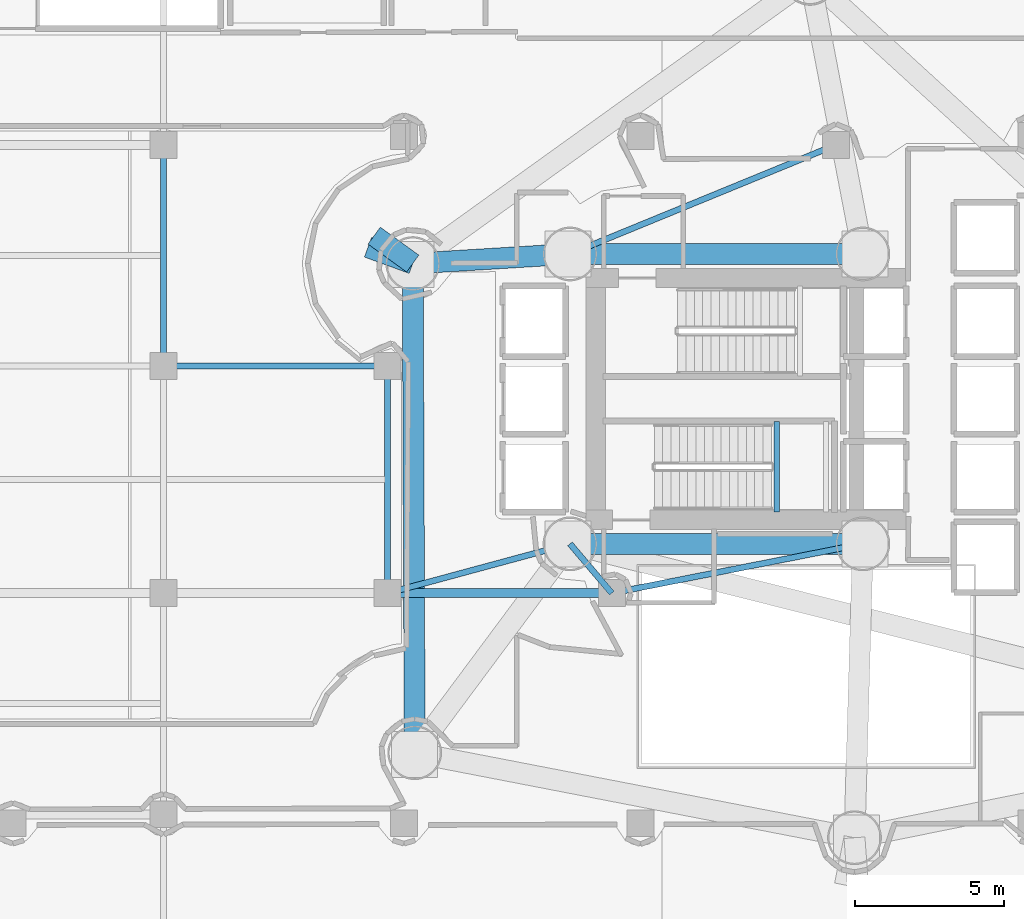
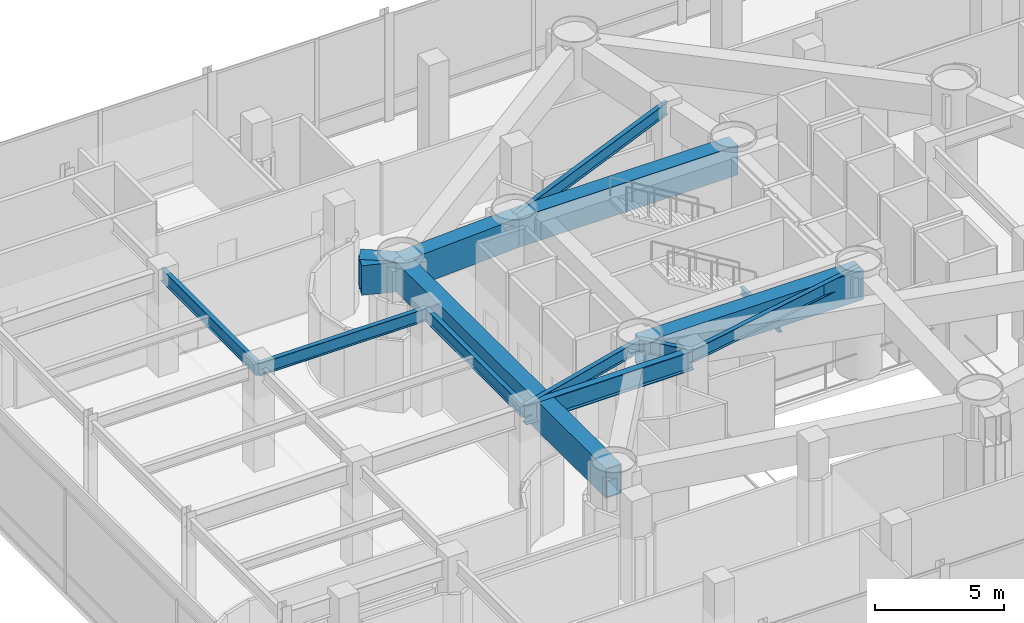
# One storey, part 12 of 40: 15 beams.
"""IFC4 building model written with IfcOpenShell, lengths in metres."""

from ifc_helpers import new_model, si_unit, direction, frame, origin, origin_2d, place, context, subcontext, project, spatial, hollow_rectangle, i_section, extrude, material, material_profile, profile_set, type_object, element, save


model = new_model("IFC4")

# Units and contexts
model_context = context("Model", 3, precision=1e-05, world=origin(), true_north=direction((0.0, 1.0)))
body_context = subcontext(model_context, "Body", "Model", "MODEL_VIEW")
ifc_project = project(units=[si_unit("LENGTHUNIT", "METRE"), si_unit("AREAUNIT", "SQUARE_METRE"), si_unit("VOLUMEUNIT", "CUBIC_METRE"), si_unit("PLANEANGLEUNIT", "RADIAN"), si_unit("MASSUNIT", "GRAM", prefix="KILO")], contexts=[model_context])

# Site, building, storey
site_placement = place(None, origin())
site = spatial("IfcSite", under=ifc_project, at=site_placement, CompositionType="ELEMENT")
building_placement = place(site_placement, origin())
building = spatial("IfcBuilding", under=site, at=building_placement, Name="Qianvela Tower", CompositionType="ELEMENT")
storey_placement = place(building_placement, frame((0.0, 0.0, 20.60009765625)))
storey = spatial("IfcBuildingStorey", under=building, at=storey_placement, Name="L04", CompositionType="ELEMENT", Elevation=20.60009765625)

# Beams
ifc_material_1 = material(Name="Steel Q355B", Category="steel")
ifc_material_profile_1 = material_profile(ifc_material_1, i_section(OverallWidth=0.175048828125, OverallDepth=0.35009765625, WebThickness=0.007080078125, FlangeThickness=0.010986328125, at=origin_2d()), Name="HN350x175x7x11")
ifc_profile_set_1 = profile_set([ifc_material_profile_1], Name="Steel Q355B")
beam_type_1 = type_object("IfcBeamType", Name="BM-HN350-JOIST", PredefinedType="JOIST", material=ifc_profile_set_1)
beam_1_placement = place(storey_placement, frame((35.52001953125, 24.919921875, 2.1748046875), z_axis=(0.0, 1.0, 0.0), x_axis=(-1.0, 0.0, 0.0)))
element("IfcBeam", 1, at=beam_1_placement, inside=storey, type_object=beam_type_1, Name="L04 Stair ST-2 Landing Support Beam 1.1", PredefinedType="JOIST", context=body_context, shape_type="SweptSolid", body=[
    extrude(i_section(OverallWidth=0.175048828125, OverallDepth=0.35009765625, WebThickness=0.007080078125, FlangeThickness=0.010986328125, at=origin_2d()), origin(), (0.0, 0.0, 1.0), 3.02001953125),
])
ifc_material_2 = material(Name="Steel Q355B", Category="steel")
ifc_material_profile_2 = material_profile(ifc_material_2, i_section(OverallWidth=0.199951171875, OverallDepth=0.60009765625, WebThickness=0.010986328125, FlangeThickness=0.01708984375, at=origin_2d()), Name="HN600x200x11x17")
ifc_profile_set_2 = profile_set([ifc_material_profile_2], Name="Steel Q355B")
beam_type_2 = type_object("IfcBeamType", Name="BM-HN600-GIRD", PredefinedType="BEAM", material=ifc_profile_set_2)
beam_2_placement = place(storey_placement, frame((15.0, 29.800048828125, 4.497802734375), z_axis=(1.0, 0.0, 0.0), x_axis=(0.0, 1.0, 0.0)))
element("IfcBeam", 2, at=beam_2_placement, inside=storey, type_object=beam_type_2, Name="L04 East-West Grid Girder 11", PredefinedType="BEAM", context=body_context, shape_type="SweptSolid", body=[
    extrude(i_section(OverallWidth=0.199951171875, OverallDepth=0.60009765625, WebThickness=0.010986328125, FlangeThickness=0.01708984375, at=origin_2d()), origin(), (0.0, 0.0, 1.0), 7.5),
])
beam_3_placement = place(storey_placement, frame((15.0, 29.800048828125, 4.497802734375), z_axis=(0.0, 1.0, 0.0), x_axis=(-1.0, 0.0, 0.0)))
element("IfcBeam", 3, at=beam_3_placement, inside=storey, type_object=beam_type_2, Name="L04 North-South Grid Girder 23", PredefinedType="BEAM", context=body_context, shape_type="SweptSolid", body=[
    extrude(i_section(OverallWidth=0.199951171875, OverallDepth=0.60009765625, WebThickness=0.010986328125, FlangeThickness=0.01708984375, at=origin_2d()), origin(), (0.0, 0.0, 1.0), 7.39990234375),
])
beam_4_placement = place(storey_placement, frame((22.5, 22.199951171875, 4.497802734375), z_axis=(0.0, 1.0, 0.0), x_axis=(-1.0, 0.0, 0.0)))
element("IfcBeam", 4, at=beam_4_placement, inside=storey, type_object=beam_type_2, Name="L04 North-South Grid Girder 25", PredefinedType="BEAM", context=body_context, shape_type="SweptSolid", body=[
    extrude(i_section(OverallWidth=0.199951171875, OverallDepth=0.60009765625, WebThickness=0.010986328125, FlangeThickness=0.01708984375, at=origin_2d()), origin(), (0.0, 0.0, 1.0), 7.60009765625),
])
beam_5_placement = place(storey_placement, frame((28.60009765625, 33.550048828125, 4.497802734375), z_axis=(0.925217514763, 0.379437149441, 0.0), x_axis=(-0.379437149441, 0.925217514763, 0.0)))
element("IfcBeam", 5, at=beam_5_placement, inside=storey, type_object=beam_type_2, Name="L04 Core Tie Girder 37", PredefinedType="BEAM", context=body_context, shape_type="SweptSolid", body=[
    extrude(i_section(OverallWidth=0.199951171875, OverallDepth=0.60009765625, WebThickness=0.010986328125, FlangeThickness=0.01708984375, at=origin_2d()), origin(), (0.0, 0.0, 1.0), 9.619140625),
])
beam_6_placement = place(storey_placement, frame((28.60009765625, 23.85009765625, 4.497802734375), z_axis=(0.646917812917, -0.762559730992, 0.0), x_axis=(0.762559730992, 0.646917812917, 0.0)))
element("IfcBeam", 6, at=beam_6_placement, inside=storey, type_object=beam_type_2, Name="L04 Core Tie Girder 38", PredefinedType="BEAM", context=body_context, shape_type="SweptSolid", body=[
    extrude(i_section(OverallWidth=0.199951171875, OverallDepth=0.60009765625, WebThickness=0.010986328125, FlangeThickness=0.01708984375, at=origin_2d()), origin(), (0.0, 0.0, 1.0), 2.1640625),
])
beam_7_placement = place(storey_placement, frame((28.60009765625, 23.85009765625, 4.497802734375), z_axis=(-0.96530472097, -0.26112601493, 0.0), x_axis=(0.26112601493, -0.96530472097, 0.0)))
element("IfcBeam", 7, at=beam_7_placement, inside=storey, type_object=beam_type_2, Name="L04 Core Tie Girder 39", PredefinedType="BEAM", context=body_context, shape_type="SweptSolid", body=[
    extrude(i_section(OverallWidth=0.199951171875, OverallDepth=0.60009765625, WebThickness=0.010986328125, FlangeThickness=0.01708984375, at=origin_2d()), origin(), (0.0, 0.0, 1.0), 6.3193359375),
])
beam_8_placement = place(storey_placement, frame((38.39990234375, 23.85009765625, 4.497802734375), z_axis=(-0.981245160169, -0.192763937615, 0.0), x_axis=(0.192763937615, -0.981245160169, 0.0)))
element("IfcBeam", 8, at=beam_8_placement, inside=storey, type_object=beam_type_2, Name="L04 Core Tie Girder 43", PredefinedType="BEAM", context=body_context, shape_type="SweptSolid", body=[
    extrude(i_section(OverallWidth=0.199951171875, OverallDepth=0.60009765625, WebThickness=0.010986328125, FlangeThickness=0.01708984375, at=origin_2d()), origin(), (0.0, 0.0, 1.0), 8.560546875),
])
ifc_material_3 = material(Name="Steel Q355B", Category="steel")
ifc_material_profile_3 = material_profile(ifc_material_3, i_section(OverallWidth=0.300048828125, OverallDepth=0.89990234375, WebThickness=0.01611328125, FlangeThickness=0.028076171875, at=origin_2d()), Name="HN900x300x16x28")
ifc_profile_set_3 = profile_set([ifc_material_profile_3], Name="Steel Q355B")
beam_type_3 = type_object("IfcBeamType", Name="BM-HN900-SPAND", PredefinedType="SPANDREL", material=ifc_profile_set_3)
beam_9_placement = place(storey_placement, frame((22.5, 22.199951171875, 4.347900390625), z_axis=(1.0, 0.0, 0.0), x_axis=(0.0, 1.0, 0.0)))
element("IfcBeam", 9, at=beam_9_placement, inside=storey, type_object=beam_type_3, Name="L04 East-West Grid Girder 5", PredefinedType="SPANDREL", context=body_context, shape_type="SweptSolid", body=[
    extrude(i_section(OverallWidth=0.300048828125, OverallDepth=0.89990234375, WebThickness=0.01611328125, FlangeThickness=0.028076171875, at=origin_2d()), origin(), (0.0, 0.0, 1.0), 7.5),
])
ifc_material_4 = material(Name="Steel Q420GJC", Category="steel")
ifc_material_profile_4 = material_profile(ifc_material_4, hollow_rectangle(XDim=0.699951171875, YDim=1.39990234375, WallThickness=0.0400390625, at=origin_2d()), Name="TG-BOX-1400x700x40")
ifc_profile_set_4 = profile_set([ifc_material_profile_4], Name="Steel Q420GJC")
beam_type_4 = type_object("IfcBeamType", Name="BM-TG-RAD-1400", PredefinedType="BEAM", material=ifc_profile_set_4)
for number, where, z_axis, x_axis, name in (
    (10, (28.60009765625, 23.85009765625, 4.097900390625), (1.0, 0.0, 0.0), (0.0, 1.0, 0.0), "L04 Core Ring Transfer Girder 1"),
    (11, (28.60009765625, 33.550048828125, 4.097900390625), (1.0, 0.0, 0.0), (0.0, 1.0, 0.0), "L04 Core Ring Transfer Girder 2"),
):
    element("IfcBeam", number, at=place(storey_placement, frame(where, z_axis=z_axis, x_axis=x_axis)), inside=storey, type_object=beam_type_4, Name=name, PredefinedType="BEAM", context=body_context, shape_type="SweptSolid", body=[
        extrude(hollow_rectangle(XDim=0.699951171875, YDim=1.39990234375, WallThickness=0.0400390625, at=origin_2d()), origin(), (0.0, 0.0, 1.0), 9.7998046875),
    ])
beam_10_placement = place(storey_placement, frame((23.337890625, 33.22802734375, 4.097900390625), z_axis=(0.004042148861, -0.999991830483, 0.0), x_axis=(0.999991830483, 0.004042148861, 0.0)))
element("IfcBeam", 12, at=beam_10_placement, inside=storey, type_object=beam_type_4, Name="L04 Perimeter Belt-Truss Top Ring Girder 4", PredefinedType="BEAM", context=body_context, shape_type="SweptSolid", body=[
    extrude(hollow_rectangle(XDim=0.699951171875, YDim=1.39990234375, WallThickness=0.0400390625, at=origin_2d()), origin(), (0.0, 0.0, 1.0), 16.3681640625),
])
beam_11_placement = place(storey_placement, frame((28.60009765625, 33.550048828125, 4.097900390625), z_axis=(-0.998132820146, -0.061080875465, 0.0), x_axis=(0.061080875465, -0.998132820146, 0.0)))
element("IfcBeam", 13, at=beam_11_placement, inside=storey, type_object=beam_type_4, Name="L04 Radial Outrigger Top Transfer Girder 4", PredefinedType="BEAM", context=body_context, shape_type="SweptSolid", body=[
    extrude(hollow_rectangle(XDim=0.699951171875, YDim=1.39990234375, WallThickness=0.0400390625, at=origin_2d()), origin(), (0.0, 0.0, 1.0), 5.27197265625),
])
ifc_material_5 = material(Name="Steel Q420GJC", Category="steel")
ifc_material_profile_5 = material_profile(ifc_material_5, hollow_rectangle(XDim=0.699951171875, YDim=1.39990234375, WallThickness=0.0400390625, at=origin_2d()), Name="TG-BOX-1400x700x40")
ifc_profile_set_5 = profile_set([ifc_material_profile_5], Name="Steel Q420GJC")
beam_type_5 = type_object("IfcBeamType", Name="BM-TG-STEP-1400", PredefinedType="BEAM", material=ifc_profile_set_5)
for number, where, z_axis, x_axis, name in (
    (14, (23.337890625, 33.22802734375, 4.094970703125), (-0.809655942465, 0.586904809003, 0.0), (-0.586904809003, -0.809655942465, 0.0), "L04 Mega-Brace Base Transfer Bracket 3"),
    (15, (23.337890625, 33.22802734375, 4.094970703125), (-0.939273470749, 0.343169560345, 0.0), (-0.343169560345, -0.939273470749, 0.0), "L04 Mega-Brace Base Transfer Bracket 4"),
):
    element("IfcBeam", number, at=place(storey_placement, frame(where, z_axis=z_axis, x_axis=x_axis)), inside=storey, type_object=beam_type_5, Name=name, PredefinedType="BEAM", context=body_context, shape_type="SweptSolid", body=[
        extrude(hollow_rectangle(XDim=0.699951171875, YDim=1.39990234375, WallThickness=0.0400390625, at=origin_2d()), origin(), (0.0, 0.0, 1.0), 1.593505859375),
    ])

save(model, "model.ifc")
